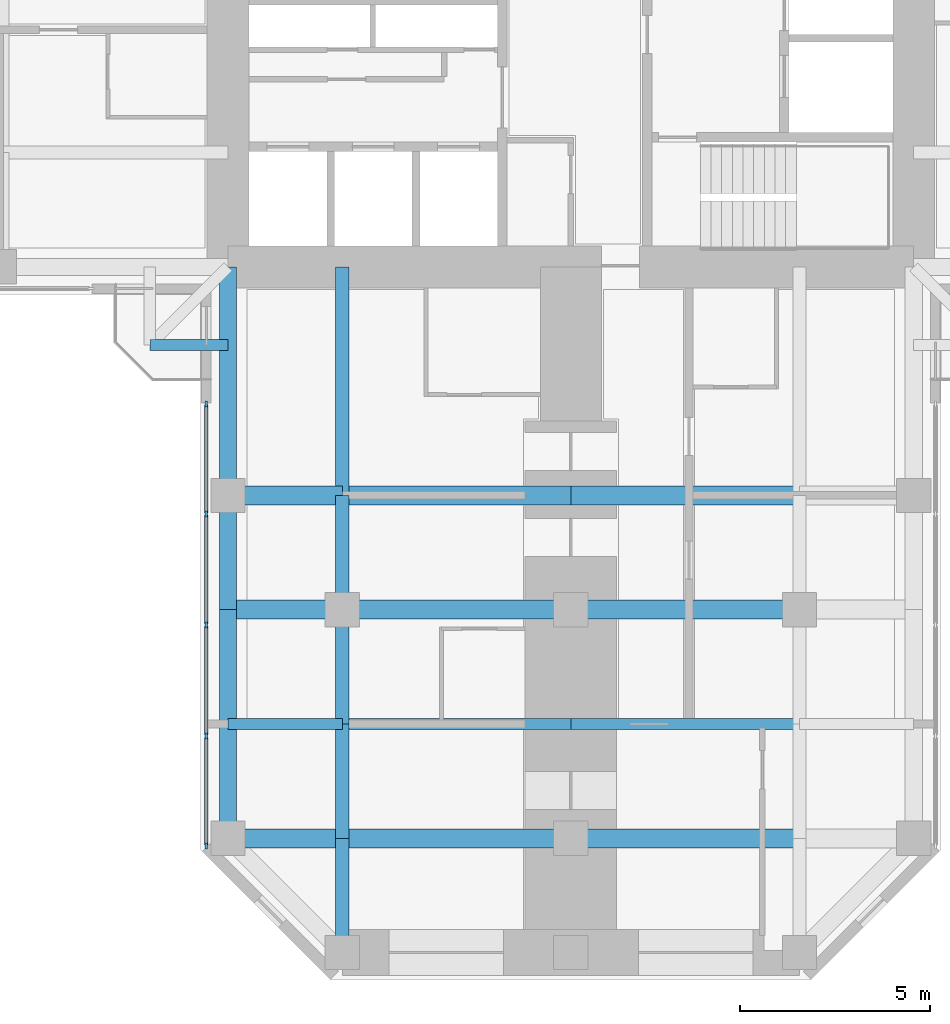
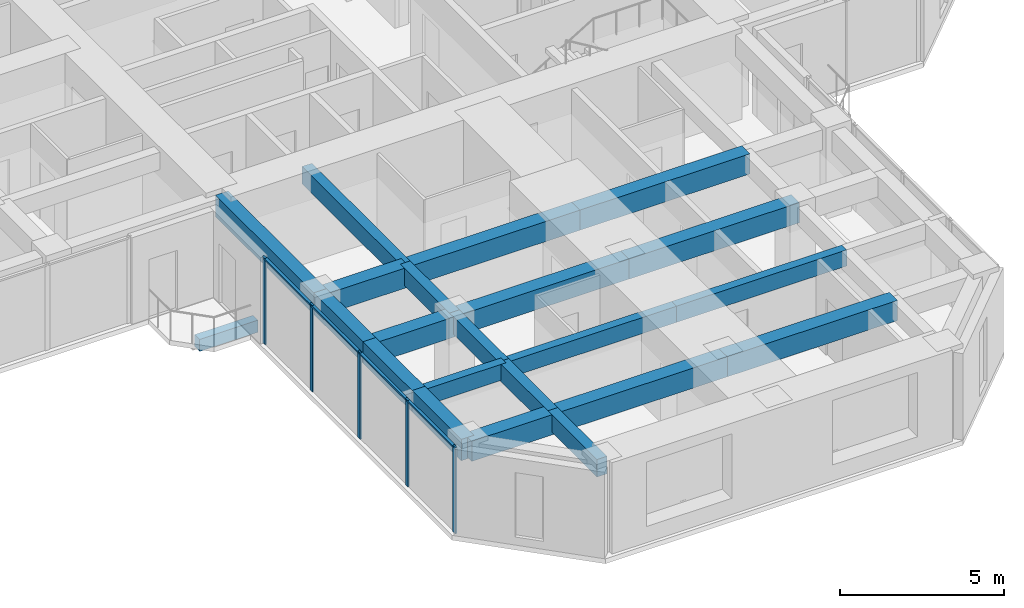
# One storey, part 2 of 14: 22 beams, 9 members, 1 element without a shape of its own.
"""IFC4 building model written with IfcOpenShell, lengths in metres."""

from ifc_helpers import new_model, si_unit, direction, frame, origin, origin_2d, place, context, subcontext, project, spatial, rectangle, extrude, material, material_profile, profile_set, type_object, element, aggregate, save


model = new_model("IFC4")

# Units and contexts
model_context = context("Model", 3, precision=1e-05, world=origin(), true_north=direction((0.0, 1.0)))
body_context = subcontext(model_context, "Body", "Model", "MODEL_VIEW")
ifc_project = project(units=[si_unit("LENGTHUNIT", "METRE"), si_unit("AREAUNIT", "SQUARE_METRE"), si_unit("VOLUMEUNIT", "CUBIC_METRE"), si_unit("PLANEANGLEUNIT", "RADIAN"), si_unit("MASSUNIT", "GRAM", prefix="KILO")], contexts=[model_context])

# Site, building, storey
site_placement = place(None, origin())
site = spatial("IfcSite", under=ifc_project, at=site_placement, CompositionType="ELEMENT")
building_placement = place(site_placement, origin())
building = spatial("IfcBuilding", under=site, at=building_placement, Name="Torre Cruceta", CompositionType="ELEMENT")
storey_placement = place(building_placement, frame((0.0, 0.0, 210.300048828125)))
storey = spatial("IfcBuildingStorey", under=building, at=storey_placement, Name="L53", CompositionType="ELEMENT", Elevation=210.300048828125)

# Beams
ifc_material_1 = material(Name="Concrete G60 (fck 60 MPa)", Category="concrete")
ifc_material_profile_1 = material_profile(ifc_material_1, rectangle(XDim=0.300048828125, YDim=0.449951171875, at=origin_2d()), Name="RC 300X450")
ifc_profile_set_1 = profile_set([ifc_material_profile_1], Name="Concrete G60 (fck 60 MPa)")
beam_type_1 = type_object("IfcBeamType", Name="BALCONY CANTILEVER BEAM RC 300X450", PredefinedType="BEAM", material=ifc_profile_set_1)
beam_1_placement = place(storey_placement, frame((-9.0, -11.050537109375, -0.405029296875), z_axis=(-1.0, 0.0, 0.0), x_axis=(0.0, -1.0, 0.0)))
element("IfcBeam", 1, at=beam_1_placement, inside=storey, type_object=beam_type_1, Name="BB1 balcony edge beam L53 W-Y", PredefinedType="BEAM", context=body_context, shape_type="SweptSolid", body=[
    extrude(rectangle(XDim=0.300048828125, YDim=0.449951171875, at=origin_2d()), origin(), (0.0, 0.0, 1.0), 2.050537109375),
])
ifc_material_2 = material(Name="Concrete G60 (fck 60 MPa)", Category="concrete")
ifc_material_profile_2 = material_profile(ifc_material_2, rectangle(XDim=0.35009765625, YDim=0.64990234375, at=origin_2d()), Name="RC 350X650")
ifc_profile_set_2 = profile_set([ifc_material_profile_2], Name="Concrete G60 (fck 60 MPa)")
beam_type_2 = type_object("IfcBeamType", Name="COLUMN LINE BEAM RC 350X650", PredefinedType="BEAM", material=ifc_profile_set_2)
beam_2_placement = place(storey_placement, frame((-6.0, -9.0, 2.89501953125), z_axis=(0.0, -1.0, 0.0), x_axis=(1.0, 0.0, 0.0)))
element("IfcBeam", 2, at=beam_2_placement, inside=storey, type_object=beam_type_2, Name="LB7 L53 S col- 1", PredefinedType="BEAM", context=body_context, shape_type="SweptSolid", body=[
    extrude(rectangle(XDim=0.35009765625, YDim=0.64990234375, at=origin_2d()), origin(), (0.0, 0.0, 1.0), 6.0),
])
for number, where, z_axis, x_axis, name in (
    (3, (-6.0, -15.0, 2.89501953125), (0.0, -1.0, 0.0), (1.0, 0.0, 0.0), "LB7 L53 S col- 2"),
    (4, (-6.0, -18.0, 2.89501953125), (0.0, -1.0, 0.0), (1.0, 0.0, 0.0), "LB7 L53 S col- 3"),
    (5, (-6.0, -21.0, 2.89501953125), (0.0, -1.0, 0.0), (1.0, 0.0, 0.0), "LB7 L53 S col- 4"),
    (6, (-6.0, -24.0, 2.89501953125), (0.0, -1.0, 0.0), (1.0, 0.0, 0.0), "LB7 L53 S col- 5"),
):
    element("IfcBeam", number, at=place(storey_placement, frame(where, z_axis=z_axis, x_axis=x_axis)), inside=storey, type_object=beam_type_2, Name=name, PredefinedType="BEAM", context=body_context, shape_type="SweptSolid", body=[
        extrude(rectangle(XDim=0.35009765625, YDim=0.64990234375, at=origin_2d()), origin(), (0.0, 0.0, 1.0), 3.0),
    ])
ifc_material_3 = material(Name="Concrete G60 (fck 60 MPa)", Category="concrete")
ifc_material_profile_3 = material_profile(ifc_material_3, rectangle(XDim=0.5, YDim=0.75, at=origin_2d()), Name="RC 500X750")
ifc_profile_set_3 = profile_set([ifc_material_profile_3], Name="Concrete G60 (fck 60 MPa)")
beam_type_3 = type_object("IfcBeamType", Name="CROSS BEAM RC 500X750", PredefinedType="BEAM", material=ifc_profile_set_3)
beam_3_placement = place(storey_placement, frame((-9.0, -15.0, 2.844970703125), z_axis=(1.0, 0.0, 0.0), x_axis=(0.0, 1.0, 0.0)))
element("IfcBeam", 7, at=beam_3_placement, inside=storey, type_object=beam_type_3, Name="GB6 L53 S cross15 1", PredefinedType="BEAM", context=body_context, shape_type="SweptSolid", body=[
    extrude(rectangle(XDim=0.5, YDim=0.75, at=origin_2d()), origin(), (0.0, 0.0, 1.0), 3.0),
])
for number, where, z_axis, x_axis, name in (
    (8, (-6.0, -15.0, 2.844970703125), (1.0, 0.0, 0.0), (0.0, 1.0, 0.0), "GB6 L53 S cross15 2"),
    (9, (0.0, -15.0, 2.844970703125), (1.0, 0.0, 0.0), (0.0, 1.0, 0.0), "GB6 L53 S cross15 3"),
):
    element("IfcBeam", number, at=place(storey_placement, frame(where, z_axis=z_axis, x_axis=x_axis)), inside=storey, type_object=beam_type_3, Name=name, PredefinedType="BEAM", context=body_context, shape_type="SweptSolid", body=[
        extrude(rectangle(XDim=0.5, YDim=0.75, at=origin_2d()), origin(), (0.0, 0.0, 1.0), 6.0),
    ])
beam_4_placement = place(storey_placement, frame((-9.0, -18.0, 2.844970703125), z_axis=(1.0, 0.0, 0.0), x_axis=(0.0, 1.0, 0.0)))
element("IfcBeam", 10, at=beam_4_placement, inside=storey, type_object=beam_type_3, Name="GB6 L53 S cross18 1", PredefinedType="BEAM", context=body_context, shape_type="SweptSolid", body=[
    extrude(rectangle(XDim=0.5, YDim=0.75, at=origin_2d()), origin(), (0.0, 0.0, 1.0), 3.0),
])
for number, where, z_axis, x_axis, name in (
    (11, (-6.0, -18.0, 2.844970703125), (1.0, 0.0, 0.0), (0.0, 1.0, 0.0), "GB6 L53 S cross18 2"),
    (12, (0.0, -18.0, 2.844970703125), (1.0, 0.0, 0.0), (0.0, 1.0, 0.0), "GB6 L53 S cross18 3"),
):
    element("IfcBeam", number, at=place(storey_placement, frame(where, z_axis=z_axis, x_axis=x_axis)), inside=storey, type_object=beam_type_3, Name=name, PredefinedType="BEAM", context=body_context, shape_type="SweptSolid", body=[
        extrude(rectangle(XDim=0.5, YDim=0.75, at=origin_2d()), origin(), (0.0, 0.0, 1.0), 6.0),
    ])
beam_5_placement = place(storey_placement, frame((-9.0, -24.0, 2.844970703125), z_axis=(1.0, 0.0, 0.0), x_axis=(0.0, 1.0, 0.0)))
element("IfcBeam", 13, at=beam_5_placement, inside=storey, type_object=beam_type_3, Name="GB6 L53 S cross24 1", PredefinedType="BEAM", context=body_context, shape_type="SweptSolid", body=[
    extrude(rectangle(XDim=0.5, YDim=0.75, at=origin_2d()), origin(), (0.0, 0.0, 1.0), 3.0),
])
for number, where, z_axis, x_axis, name in (
    (14, (-6.0, -24.0, 2.844970703125), (1.0, 0.0, 0.0), (0.0, 1.0, 0.0), "GB6 L53 S cross24 2"),
    (15, (0.0, -24.0, 2.844970703125), (1.0, 0.0, 0.0), (0.0, 1.0, 0.0), "GB6 L53 S cross24 3"),
):
    element("IfcBeam", number, at=place(storey_placement, frame(where, z_axis=z_axis, x_axis=x_axis)), inside=storey, type_object=beam_type_3, Name=name, PredefinedType="BEAM", context=body_context, shape_type="SweptSolid", body=[
        extrude(rectangle(XDim=0.5, YDim=0.75, at=origin_2d()), origin(), (0.0, 0.0, 1.0), 6.0),
    ])

# Curtain wall, members
ifc_material_4 = material(Name="Aluminium unitised curtain wall", Category="aluminium")
curtain_wall_type = type_object("IfcCurtainWallType", Name="CURTAIN WALL CW-C CO-LIVING", PredefinedType="USERDEFINED", material=ifc_material_4)
curtain_wall_placement = place(storey_placement, origin())
curtain_wall = element("IfcCurtainWall", 16, at=curtain_wall_placement, inside=storey, type_object=curtain_wall_type, Name="CW-C L53 S side 15", ObjectType="UNITISED", PredefinedType="USERDEFINED")
ifc_material_5 = material(Name="Aluminium mullion", Category="aluminium")
ifc_material_profile_4 = material_profile(ifc_material_5, rectangle(XDim=0.06005859375, YDim=0.159912109375, at=origin_2d()), Name="AL 60X160")
ifc_profile_set_4 = profile_set([ifc_material_profile_4], Name="Aluminium mullion")
member_type_1 = type_object("IfcMemberType", Name="CW-C MULLION 60X160", PredefinedType="MULLION", material=ifc_profile_set_4)
member_1_placement = place(storey_placement, frame((-9.570068359375, -12.60009765625, 0.0), z_axis=(0.0, 0.0, 1.0), x_axis=(1.0, 0.0, 0.0)))
member_1 = element("IfcMember", 17, at=member_1_placement, type_object=member_type_1, Name="CW-C mullion 1", PredefinedType="MULLION", context=body_context, shape_type="SweptSolid", body=[
    extrude(rectangle(XDim=0.06005859375, YDim=0.159912109375, at=origin_2d()), origin(), (0.0, 0.0, 1.0), 3.219970703125),
])
member_2_placement = place(storey_placement, frame((-9.570068359375, -15.486572265625, 0.0), z_axis=(0.0, 0.0, 1.0), x_axis=(1.0, 0.0, 0.0)))
member_2 = element("IfcMember", 18, at=member_2_placement, type_object=member_type_1, Name="CW-C mullion 2", PredefinedType="MULLION", context=body_context, shape_type="SweptSolid", body=[
    extrude(rectangle(XDim=0.06005859375, YDim=0.159912109375, at=origin_2d()), origin(), (0.0, 0.0, 1.0), 3.219970703125),
])
member_3_placement = place(storey_placement, frame((-9.570068359375, -18.403076171875, 0.0), z_axis=(0.0, 0.0, 1.0), x_axis=(1.0, 0.0, 0.0)))
member_3 = element("IfcMember", 19, at=member_3_placement, type_object=member_type_1, Name="CW-C mullion 3", PredefinedType="MULLION", context=body_context, shape_type="SweptSolid", body=[
    extrude(rectangle(XDim=0.06005859375, YDim=0.159912109375, at=origin_2d()), origin(), (0.0, 0.0, 1.0), 3.219970703125),
])
member_4_placement = place(storey_placement, frame((-9.570068359375, -21.319580078125, 0.0), z_axis=(0.0, 0.0, 1.0), x_axis=(1.0, 0.0, 0.0)))
member_4 = element("IfcMember", 20, at=member_4_placement, type_object=member_type_1, Name="CW-C mullion 4", PredefinedType="MULLION", context=body_context, shape_type="SweptSolid", body=[
    extrude(rectangle(XDim=0.06005859375, YDim=0.159912109375, at=origin_2d()), origin(), (0.0, 0.0, 1.0), 3.219970703125),
])
member_5_placement = place(storey_placement, frame((-9.570068359375, -24.2060546875, 0.0), z_axis=(0.0, 0.0, 1.0), x_axis=(1.0, 0.0, 0.0)))
member_5 = element("IfcMember", 21, at=member_5_placement, type_object=member_type_1, Name="CW-C mullion 5", PredefinedType="MULLION", context=body_context, shape_type="SweptSolid", body=[
    extrude(rectangle(XDim=0.06005859375, YDim=0.159912109375, at=origin_2d()), origin(), (0.0, 0.0, 1.0), 3.219970703125),
])
ifc_material_6 = material(Name="Aluminium transom", Category="aluminium")
ifc_material_profile_5 = material_profile(ifc_material_6, rectangle(XDim=0.10009765625, YDim=0.06005859375, at=origin_2d()), Name="AL 100X60")
ifc_profile_set_5 = profile_set([ifc_material_profile_5], Name="Aluminium transom")
member_type_2 = type_object("IfcMemberType", Name="CW-C TRANSOM 60X100", PredefinedType="USERDEFINED", material=ifc_profile_set_5)
member_6_placement = place(storey_placement, frame((-9.570068359375, -12.6298828125, 3.18994140625), z_axis=(0.0, -1.0, 0.0), x_axis=(1.0, 0.0, 0.0)))
member_6 = element("IfcMember", 22, at=member_6_placement, type_object=member_type_2, Name="CW-C transom 1", ObjectType="TRANSOM", PredefinedType="USERDEFINED", context=body_context, shape_type="SweptSolid", body=[
    extrude(rectangle(XDim=0.10009765625, YDim=0.06005859375, at=origin_2d()), origin(), (0.0, 0.0, 1.0), 2.82666015625),
])
member_7_placement = place(storey_placement, frame((-9.570068359375, -15.5166015625, 3.18994140625), z_axis=(0.0, -1.0, 0.0), x_axis=(1.0, 0.0, 0.0)))
member_7 = element("IfcMember", 23, at=member_7_placement, type_object=member_type_2, Name="CW-C transom 2", ObjectType="TRANSOM", PredefinedType="USERDEFINED", context=body_context, shape_type="SweptSolid", body=[
    extrude(rectangle(XDim=0.10009765625, YDim=0.06005859375, at=origin_2d()), origin(), (0.0, 0.0, 1.0), 2.8564453125),
])
member_8_placement = place(storey_placement, frame((-9.570068359375, -18.43310546875, 3.18994140625), z_axis=(0.0, -1.0, 0.0), x_axis=(1.0, 0.0, 0.0)))
member_8 = element("IfcMember", 24, at=member_8_placement, type_object=member_type_2, Name="CW-C transom 3", ObjectType="TRANSOM", PredefinedType="USERDEFINED", context=body_context, shape_type="SweptSolid", body=[
    extrude(rectangle(XDim=0.10009765625, YDim=0.06005859375, at=origin_2d()), origin(), (0.0, 0.0, 1.0), 2.8564453125),
])
member_9_placement = place(storey_placement, frame((-9.570068359375, -21.349609375, 3.18994140625), z_axis=(0.0, -1.0, 0.0), x_axis=(1.0, 0.0, 0.0)))
member_9 = element("IfcMember", 25, at=member_9_placement, type_object=member_type_2, Name="CW-C transom 4", ObjectType="TRANSOM", PredefinedType="USERDEFINED", context=body_context, shape_type="SweptSolid", body=[
    extrude(rectangle(XDim=0.10009765625, YDim=0.06005859375, at=origin_2d()), origin(), (0.0, 0.0, 1.0), 2.826416015625),
])
aggregate(curtain_wall, [member_1, member_2, member_3, member_4, member_5, member_6, member_7, member_8, member_9])

# Beams
ifc_material_7 = material(Name="Concrete G60 (fck 60 MPa)", Category="concrete")
ifc_material_profile_6 = material_profile(ifc_material_7, rectangle(XDim=0.300048828125, YDim=0.60009765625, at=origin_2d()), Name="RC 300X600")
ifc_profile_set_6 = profile_set([ifc_material_profile_6], Name="Concrete G60 (fck 60 MPa)")
beam_type_4 = type_object("IfcBeamType", Name="SECONDARY BEAM RC 300X600", PredefinedType="JOIST", material=ifc_profile_set_6)
beam_6_placement = place(storey_placement, frame((-9.0, -21.0, 2.919921875), z_axis=(1.0, 0.0, 0.0), x_axis=(0.0, 1.0, 0.0)))
element("IfcBeam", 26, at=beam_6_placement, inside=storey, type_object=beam_type_4, Name="JB6 L53 S sec21 1", PredefinedType="JOIST", context=body_context, shape_type="SweptSolid", body=[
    extrude(rectangle(XDim=0.300048828125, YDim=0.60009765625, at=origin_2d()), origin(), (0.0, 0.0, 1.0), 3.0),
])
for number, where, z_axis, x_axis, name in (
    (27, (-6.0, -21.0, 2.919921875), (1.0, 0.0, 0.0), (0.0, 1.0, 0.0), "JB6 L53 S sec21 2"),
    (28, (0.0, -21.0, 2.919921875), (1.0, 0.0, 0.0), (0.0, 1.0, 0.0), "JB6 L53 S sec21 3"),
):
    element("IfcBeam", number, at=place(storey_placement, frame(where, z_axis=z_axis, x_axis=x_axis)), inside=storey, type_object=beam_type_4, Name=name, PredefinedType="JOIST", context=body_context, shape_type="SweptSolid", body=[
        extrude(rectangle(XDim=0.300048828125, YDim=0.60009765625, at=origin_2d()), origin(), (0.0, 0.0, 1.0), 6.0),
    ])
ifc_material_8 = material(Name="Concrete G60 (fck 60 MPa)", Category="concrete")
ifc_material_profile_7 = material_profile(ifc_material_8, rectangle(XDim=0.449951171875, YDim=0.800048828125, at=origin_2d()), Name="RC 450X800")
ifc_profile_set_7 = profile_set([ifc_material_profile_7], Name="Concrete G60 (fck 60 MPa)")
beam_type_5 = type_object("IfcBeamType", Name="SPANDREL BEAM RC 450X800", PredefinedType="SPANDREL", material=ifc_profile_set_7)
beam_7_placement = place(storey_placement, frame((-9.0, -9.0, 2.820068359375), z_axis=(0.0, -1.0, 0.0), x_axis=(1.0, 0.0, 0.0)))
element("IfcBeam", 29, at=beam_7_placement, inside=storey, type_object=beam_type_5, Name="SB6 L53 S side- 1", PredefinedType="SPANDREL", context=body_context, shape_type="SweptSolid", body=[
    extrude(rectangle(XDim=0.449951171875, YDim=0.800048828125, at=origin_2d()), origin(), (0.0, 0.0, 1.0), 6.0),
])
for number, where, z_axis, x_axis, name in (
    (30, (-9.0, -15.0, 2.820068359375), (0.0, -1.0, 0.0), (1.0, 0.0, 0.0), "SB6 L53 S side- 2"),
    (31, (-9.0, -18.0, 2.820068359375), (0.0, -1.0, 0.0), (1.0, 0.0, 0.0), "SB6 L53 S side- 3"),
    (32, (-9.0, -21.0, 2.820068359375), (0.0, -1.0, 0.0), (1.0, 0.0, 0.0), "SB6 L53 S side- 4"),
):
    element("IfcBeam", number, at=place(storey_placement, frame(where, z_axis=z_axis, x_axis=x_axis)), inside=storey, type_object=beam_type_5, Name=name, PredefinedType="SPANDREL", context=body_context, shape_type="SweptSolid", body=[
        extrude(rectangle(XDim=0.449951171875, YDim=0.800048828125, at=origin_2d()), origin(), (0.0, 0.0, 1.0), 3.0),
    ])

save(model, "model.ifc")
